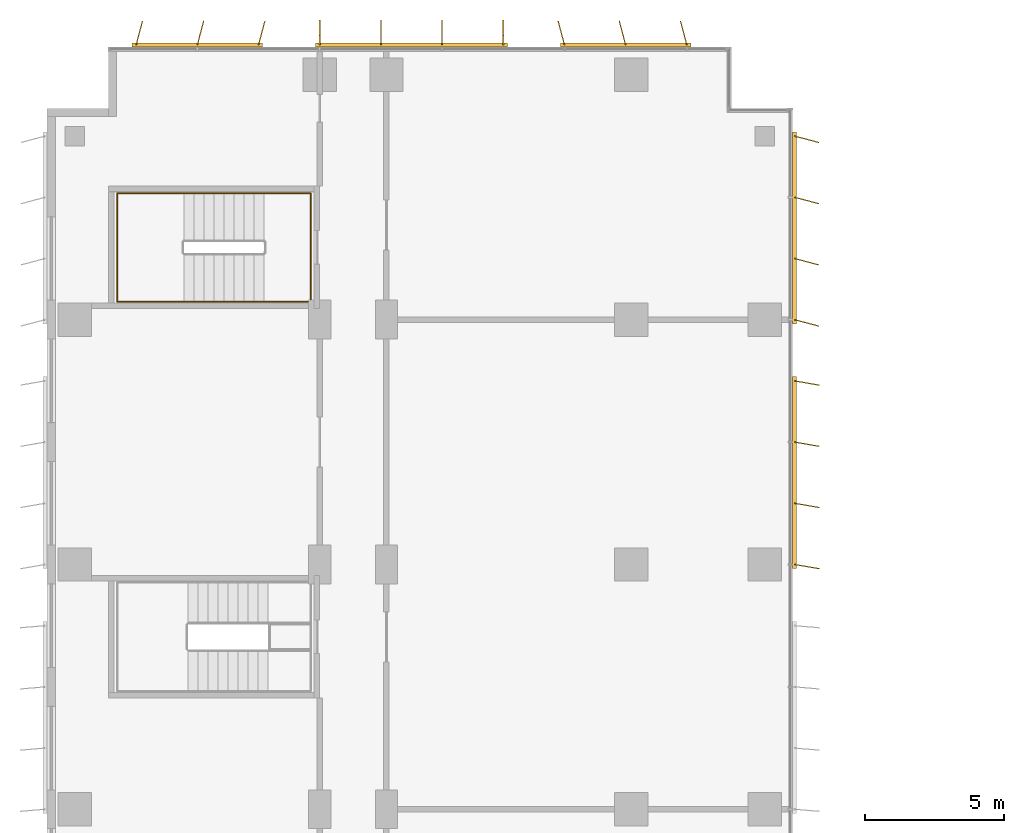
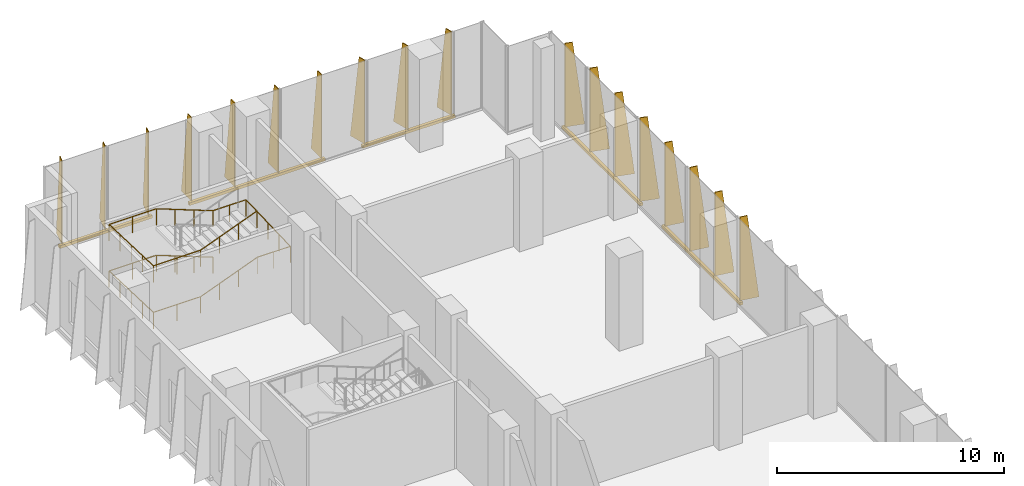
# One storey, part 21 of 21: 5 shading devices, 1 railing.
"""IFC4 building model written with IfcOpenShell, lengths in metres."""

from ifc_helpers import new_model, si_unit, direction, frame, origin, origin_2d, place, context, subcontext, project, spatial, polyline, rectangle, circle, outline, extrude, source, transform, mapped, material, layer, layer_set, type_object, element, save


model = new_model("IFC4")

# Units and contexts
model_context = context("Model", 3, precision=1e-05, world=origin(), true_north=direction((0.0, 1.0)))
body_context = subcontext(model_context, "Body", "Model", "MODEL_VIEW")
ifc_project = project(units=[si_unit("LENGTHUNIT", "METRE"), si_unit("AREAUNIT", "SQUARE_METRE"), si_unit("VOLUMEUNIT", "CUBIC_METRE"), si_unit("PLANEANGLEUNIT", "RADIAN"), si_unit("MASSUNIT", "GRAM", prefix="KILO")], contexts=[model_context])

# Site, building, storey
site_placement = place(None, origin())
site = spatial("IfcSite", under=ifc_project, at=site_placement, CompositionType="ELEMENT")
building_placement = place(site_placement, origin())
building = spatial("IfcBuilding", under=site, at=building_placement, Name="Kemantara Hotel Tower", CompositionType="ELEMENT")
storey_placement = place(building_placement, frame((0.0, 0.0, 133.300048828125)))
storey = spatial("IfcBuildingStorey", under=building, at=storey_placement, Name="L32", CompositionType="ELEMENT", Elevation=133.300048828125)

# Railing
ifc_material_1 = material(Name="Stainless steel balustrade", Category="steel")
railing_type = type_object("IfcRailingType", Name="Stair handrail 900 mm", PredefinedType="HANDRAIL", material=ifc_material_1)
railing_placement = place(storey_placement, frame((7.800048828125, 75.949951171875, 0.138916015625)))
element("IfcRailing", 1, at=railing_placement, inside=storey, type_object=railing_type, Name="L32 ST6 stair handrail 1", PredefinedType="HANDRAIL", context=body_context, shape_type="SweptSolid", body=[
    extrude(circle(Radius=0.02392578125, at=origin_2d()), frame((0.0, 0.0, 0.8759765625), z_axis=(-0.932982310422, 0.0, 0.359922225543), x_axis=(0.0, -1.0, 0.0)), (0.0, 0.0, 1.0), 3.0869140625),
    extrude(circle(Radius=0.02392578125, at=origin_2d()), frame((-2.880126953125, 0.0, 1.98681640625), z_axis=(-1.0, 0.0, 0.0), x_axis=(0.0, -1.0, 0.0)), (0.0, 0.0, 1.0), 2.39990234375),
    extrude(circle(Radius=0.02392578125, at=origin_2d()), frame((-5.280029296875, 0.0, 1.98681640625), z_axis=(0.0, -0.999366197222, 0.035597806825), x_axis=(1.0, 0.0, 0.0)), (0.0, 0.0, 1.0), 3.90234375),
    extrude(circle(Radius=0.02392578125, at=origin_2d()), frame((-5.280029296875, -3.89990234375, 2.1259765625), z_axis=(1.0, 0.0, 0.0), x_axis=(0.0, 1.0, 0.0)), (0.0, 0.0, 1.0), 2.39990234375),
    extrude(circle(Radius=0.02392578125, at=origin_2d()), frame((-2.880126953125, -3.89990234375, 2.1259765625), z_axis=(0.932982310422, 0.0, 0.359922225543), x_axis=(0.0, 1.0, 0.0)), (0.0, 0.0, 1.0), 3.0869140625),
    extrude(circle(Radius=0.02392578125, at=origin_2d()), frame((0.0, -3.89990234375, 3.23681640625), z_axis=(1.0, 0.0, 0.0), x_axis=(0.0, 1.0, 0.0)), (0.0, 0.0, 1.0), 1.679931640625),
    extrude(circle(Radius=0.02392578125, at=origin_2d()), frame((1.679931640625, -3.89990234375, 3.23681640625), z_axis=(0.0, 0.999366197222, 0.035597806825), x_axis=(-1.0, 0.0, 0.0)), (0.0, 0.0, 1.0), 3.90234375),
    extrude(circle(Radius=0.02392578125, at=origin_2d()), frame((1.679931640625, 0.0, 3.3759765625), z_axis=(-1.0, 0.0, 0.0), x_axis=(0.0, -1.0, 0.0)), (0.0, 0.0, 1.0), 1.679931640625),
    extrude(circle(Radius=0.02392578125, at=origin_2d()), frame((0.0, 0.0, 3.3759765625), z_axis=(-0.932982310422, 0.0, 0.359922225543), x_axis=(0.0, -1.0, 0.0)), (0.0, 0.0, 1.0), 3.0869140625),
    extrude(circle(Radius=0.02392578125, at=origin_2d()), frame((-2.880126953125, 0.0, 4.48681640625), z_axis=(-1.0, 0.0, 0.0), x_axis=(0.0, -1.0, 0.0)), (0.0, 0.0, 1.0), 2.39990234375),
    extrude(circle(Radius=0.02392578125, at=origin_2d()), frame((-5.280029296875, 0.0, 4.48681640625), z_axis=(0.0, -0.999366197222, 0.035597806825), x_axis=(1.0, 0.0, 0.0)), (0.0, 0.0, 1.0), 3.90234375),
    extrude(circle(Radius=0.02392578125, at=origin_2d()), frame((-5.280029296875, -3.89990234375, 4.6259765625), z_axis=(1.0, 0.0, 0.0), x_axis=(0.0, 1.0, 0.0)), (0.0, 0.0, 1.0), 2.39990234375),
    extrude(circle(Radius=0.02392578125, at=origin_2d()), frame((-2.880126953125, -3.89990234375, 4.6259765625), z_axis=(0.932982310422, 0.0, 0.359922225543), x_axis=(0.0, 1.0, 0.0)), (0.0, 0.0, 1.0), 3.0869140625),
    extrude(circle(Radius=0.02099609375, at=origin_2d()), origin(), (0.0, 0.0, 1.0), 0.851806640625),
    extrude(circle(Radius=0.02099609375, at=origin_2d()), frame((-0.9599609375, 0.0, 0.370361328125)), (0.0, 0.0, 1.0), 0.851806640625),
    extrude(circle(Radius=0.02099609375, at=origin_2d()), frame((-1.920166015625, 0.0, 0.74072265625)), (0.0, 0.0, 1.0), 0.851806640625),
    extrude(circle(Radius=0.02099609375, at=origin_2d()), frame((-2.880126953125, 0.0, 1.111083984375)), (0.0, 0.0, 1.0), 0.851806640625),
    extrude(circle(Radius=0.02099609375, at=origin_2d()), frame((-4.080078125, 0.0, 1.111083984375)), (0.0, 0.0, 1.0), 0.851806640625),
    extrude(circle(Radius=0.02099609375, at=origin_2d()), frame((-5.280029296875, 0.0, 1.111083984375)), (0.0, 0.0, 1.0), 0.851806640625),
    extrude(circle(Radius=0.02099609375, at=origin_2d()), frame((-5.280029296875, -0.97509765625, 1.145751953125)), (0.0, 0.0, 1.0), 0.851806640625),
    extrude(circle(Radius=0.02099609375, at=origin_2d()), frame((-5.280029296875, -1.949951171875, 1.1806640625)), (0.0, 0.0, 1.0), 0.851806640625),
    extrude(circle(Radius=0.02099609375, at=origin_2d()), frame((-5.280029296875, -2.9248046875, 1.21533203125)), (0.0, 0.0, 1.0), 0.851806640625),
    extrude(circle(Radius=0.02099609375, at=origin_2d()), frame((-5.280029296875, -3.89990234375, 1.25)), (0.0, 0.0, 1.0), 0.851806640625),
    extrude(circle(Radius=0.02099609375, at=origin_2d()), frame((-4.080078125, -3.89990234375, 1.25)), (0.0, 0.0, 1.0), 0.851806640625),
    extrude(circle(Radius=0.02099609375, at=origin_2d()), frame((-2.880126953125, -3.89990234375, 1.25)), (0.0, 0.0, 1.0), 0.851806640625),
    extrude(circle(Radius=0.02099609375, at=origin_2d()), frame((-1.920166015625, -3.89990234375, 1.620361328125)), (0.0, 0.0, 1.0), 0.851806640625),
    extrude(circle(Radius=0.02099609375, at=origin_2d()), frame((-0.9599609375, -3.89990234375, 1.99072265625)), (0.0, 0.0, 1.0), 0.851806640625),
    extrude(circle(Radius=0.02099609375, at=origin_2d()), frame((0.0, -3.89990234375, 2.361083984375)), (0.0, 0.0, 1.0), 0.851806640625),
    extrude(circle(Radius=0.02099609375, at=origin_2d()), frame((0.83984375, -3.89990234375, 2.361083984375)), (0.0, 0.0, 1.0), 0.851806640625),
    extrude(circle(Radius=0.02099609375, at=origin_2d()), frame((1.679931640625, -3.89990234375, 2.361083984375)), (0.0, 0.0, 1.0), 0.851806640625),
    extrude(circle(Radius=0.02099609375, at=origin_2d()), frame((1.679931640625, -2.9248046875, 2.395751953125)), (0.0, 0.0, 1.0), 0.851806640625),
    extrude(circle(Radius=0.02099609375, at=origin_2d()), frame((1.679931640625, -1.949951171875, 2.4306640625)), (0.0, 0.0, 1.0), 0.851806640625),
    extrude(circle(Radius=0.02099609375, at=origin_2d()), frame((1.679931640625, -0.97509765625, 2.46533203125)), (0.0, 0.0, 1.0), 0.851806640625),
    extrude(circle(Radius=0.02099609375, at=origin_2d()), frame((1.679931640625, 0.0, 2.5)), (0.0, 0.0, 1.0), 0.851806640625),
    extrude(circle(Radius=0.02099609375, at=origin_2d()), frame((0.83984375, 0.0, 2.5)), (0.0, 0.0, 1.0), 0.851806640625),
    extrude(circle(Radius=0.02099609375, at=origin_2d()), frame((0.0, 0.0, 2.5)), (0.0, 0.0, 1.0), 0.851806640625),
    extrude(circle(Radius=0.02099609375, at=origin_2d()), frame((-0.9599609375, 0.0, 2.870361328125)), (0.0, 0.0, 1.0), 0.851806640625),
    extrude(circle(Radius=0.02099609375, at=origin_2d()), frame((-1.920166015625, 0.0, 3.24072265625)), (0.0, 0.0, 1.0), 0.851806640625),
    extrude(circle(Radius=0.02099609375, at=origin_2d()), frame((-2.880126953125, 0.0, 3.611083984375)), (0.0, 0.0, 1.0), 0.851806640625),
    extrude(circle(Radius=0.02099609375, at=origin_2d()), frame((-4.080078125, 0.0, 3.611083984375)), (0.0, 0.0, 1.0), 0.851806640625),
    extrude(circle(Radius=0.02099609375, at=origin_2d()), frame((-5.280029296875, 0.0, 3.611083984375)), (0.0, 0.0, 1.0), 0.851806640625),
    extrude(circle(Radius=0.02099609375, at=origin_2d()), frame((-5.280029296875, -0.97509765625, 3.645751953125)), (0.0, 0.0, 1.0), 0.851806640625),
    extrude(circle(Radius=0.02099609375, at=origin_2d()), frame((-5.280029296875, -1.949951171875, 3.6806640625)), (0.0, 0.0, 1.0), 0.851806640625),
    extrude(circle(Radius=0.02099609375, at=origin_2d()), frame((-5.280029296875, -2.9248046875, 3.71533203125)), (0.0, 0.0, 1.0), 0.851806640625),
    extrude(circle(Radius=0.02099609375, at=origin_2d()), frame((-5.280029296875, -3.89990234375, 3.75)), (0.0, 0.0, 1.0), 0.851806640625),
    extrude(circle(Radius=0.02099609375, at=origin_2d()), frame((-4.080078125, -3.89990234375, 3.75)), (0.0, 0.0, 1.0), 0.851806640625),
    extrude(circle(Radius=0.02099609375, at=origin_2d()), frame((-2.880126953125, -3.89990234375, 3.75)), (0.0, 0.0, 1.0), 0.851806640625),
    extrude(circle(Radius=0.02099609375, at=origin_2d()), frame((-1.920166015625, -3.89990234375, 4.120361328125)), (0.0, 0.0, 1.0), 0.851806640625),
    extrude(circle(Radius=0.02099609375, at=origin_2d()), frame((-0.9599609375, -3.89990234375, 4.49072265625)), (0.0, 0.0, 1.0), 0.851806640625),
    extrude(circle(Radius=0.02099609375, at=origin_2d()), frame((0.0, -3.89990234375, 4.861083984375)), (0.0, 0.0, 1.0), 0.851806640625),
])

# Shading devices
ifc_material_2 = material(Name="Perforated aluminium plate 4 mm bronze anodised", Category="aluminium")
ifc_layer_1 = layer(ifc_material_2, 0.0400390625)
ifc_layer_set_1 = layer_set([ifc_layer_1], Name="Perforated aluminium plate 4 mm bronze anodised")
shading_device_type_1 = type_object("IfcShadingDeviceType", Name="SCREEN FIN CASSETTE, 3 BLADES AT -15.0 DEG, 4500 HIGH", PredefinedType="USERDEFINED", material=ifc_layer_set_1)
shared_shape_1 = source(origin(), body_context, "Body", "SweptSolid", [
    extrude(rectangle(XDim=4.699951171875, YDim=0.14990234375, at=origin_2d()), frame((2.199951171875, -0.074951171875, -0.14990234375), z_axis=(0.0, 0.0, 1.0), x_axis=(1.0, 0.0, 0.0)), (0.0, 0.0, 1.0), 0.14990234375),
    extrude(outline(polyline([(0.0, 0.0), (0.89990234375, 0.0), (0.35009765625, 4.5), (0.0, 4.5), (0.0, 0.0)])), frame((0.019287109375, -0.080078125, 0.0), z_axis=(-0.966437683387, 0.256901156343, 0.0), x_axis=(-0.256901156343, -0.966437683387, 0.0)), (0.0, 0.0, 1.0), 0.039794921875),
    extrude(outline(polyline([(0.0, 0.0), (0.89990234375, 0.0), (0.35009765625, 4.5), (0.0, 4.5), (0.0, 0.0)])), frame((2.21923828125, -0.080078125, 0.0), z_axis=(-0.966437683387, 0.256901156343, 0.0), x_axis=(-0.256901156343, -0.966437683387, 0.0)), (0.0, 0.0, 1.0), 0.039794921875),
    extrude(outline(polyline([(0.0, 0.0), (0.89990234375, 0.0), (0.35009765625, 4.5), (0.0, 4.5), (0.0, 0.0)])), frame((4.41943359375, -0.080078125, 0.0), z_axis=(-0.966837822169, 0.255391122837, 0.0), x_axis=(-0.255391122837, -0.966837822169, 0.0)), (0.0, 0.0, 1.0), 0.0400390625),
])
shading_device_1_placement = place(storey_placement, frame((7.60009765625, 81.199951171875, 0.099853515625), z_axis=(0.0, 0.0, 1.0), x_axis=(-1.0, 0.0, 0.0)))
element("IfcShadingDevice", 2, at=shading_device_1_placement, inside=storey, type_object=shading_device_type_1, Name="SCREEN FIN CASSETTE L32 T2-R01-3", ObjectType="SCREEN FIN", PredefinedType="USERDEFINED", context=body_context, shape_type="MappedRepresentation", body=[
    mapped(shared_shape_1, transform((0.0, 0.0, 0.0))),
])
ifc_layer_2 = layer(ifc_material_2, 0.0400390625)
ifc_layer_set_2 = layer_set([ifc_layer_2], Name="Perforated aluminium plate 4 mm bronze anodised")
shading_device_type_2 = type_object("IfcShadingDeviceType", Name="SCREEN FIN CASSETTE, 4 BLADES AT -10.0 DEG, 4500 HIGH", PredefinedType="USERDEFINED", material=ifc_layer_set_2)
shared_shape_2 = source(origin(), body_context, "Body", "SweptSolid", [
    extrude(rectangle(XDim=6.89990234375, YDim=0.14990234375, at=origin_2d()), frame((3.300048828125, -0.074951171875, -0.14990234375), z_axis=(0.0, 0.0, 1.0), x_axis=(1.0, 0.0, 0.0)), (0.0, 0.0, 1.0), 0.14990234375),
    extrude(outline(polyline([(0.0, 0.0), (0.89990234375, 0.0), (0.35009765625, 4.5), (0.0, 4.5), (0.0, 0.0)])), frame((0.019775390625, -0.078369140625, 0.0), z_axis=(-0.985389793052, 0.170314285219, 0.0), x_axis=(-0.170314285219, -0.985389793052, 0.0)), (0.0, 0.0, 1.0), 0.0400390625),
    extrude(outline(polyline([(0.0, 0.0), (0.89990234375, 0.0), (0.35009765625, 4.5), (0.0, 4.5), (0.0, 0.0)])), frame((2.2197265625, -0.078369140625, 0.0), z_axis=(-0.98521175482, 0.171341174751, 0.0), x_axis=(-0.171341174751, -0.98521175482, 0.0)), (0.0, 0.0, 1.0), 0.039794921875),
    extrude(outline(polyline([(0.0, 0.0), (0.89990234375, 0.0), (0.35009765625, 4.5), (0.0, 4.5), (0.0, 0.0)])), frame((4.419677734375, -0.078369140625, 0.0), z_axis=(-0.98521175482, 0.171341174751, 0.0), x_axis=(-0.171341174751, -0.98521175482, 0.0)), (0.0, 0.0, 1.0), 0.039794921875),
    extrude(outline(polyline([(0.0, 0.0), (0.89990234375, 0.0), (0.35009765625, 4.5), (0.0, 4.5), (0.0, 0.0)])), frame((6.61962890625, -0.078369140625, 0.0), z_axis=(-0.98521175482, 0.171341174751, 0.0), x_axis=(-0.171341174751, -0.98521175482, 0.0)), (0.0, 0.0, 1.0), 0.039794921875),
])
shading_device_2_placement = place(storey_placement, frame((26.800048828125, 62.60009765625, 0.099853515625), z_axis=(0.0, 0.0, 1.0), x_axis=(0.0, 1.0, 0.0)))
element("IfcShadingDevice", 3, at=shading_device_2_placement, inside=storey, type_object=shading_device_type_2, Name="SCREEN FIN CASSETTE L32 T2-R14-6", ObjectType="SCREEN FIN", PredefinedType="USERDEFINED", context=body_context, shape_type="MappedRepresentation", body=[
    mapped(shared_shape_2, transform((0.0, 0.0, 0.0))),
])
ifc_layer_3 = layer(ifc_material_2, 0.0400390625)
ifc_layer_set_3 = layer_set([ifc_layer_3], Name="Perforated aluminium plate 4 mm bronze anodised")
shading_device_type_3 = type_object("IfcShadingDeviceType", Name="SCREEN FIN CASSETTE, 4 BLADES AT +0.0 DEG, 4500 HIGH", PredefinedType="USERDEFINED", material=ifc_layer_set_3)
shared_shape_3 = source(origin(), body_context, "Body", "SweptSolid", [
    extrude(rectangle(XDim=6.89990234375, YDim=0.14990234375, at=origin_2d()), frame((3.300048828125, -0.074951171875, -0.14990234375), z_axis=(0.0, 0.0, 1.0), x_axis=(1.0, 0.0, 0.0)), (0.0, 0.0, 1.0), 0.14990234375),
    extrude(outline(polyline([(0.0, 0.0), (0.89990234375, 0.0), (0.35009765625, 4.5), (0.0, 4.5), (0.0, 0.0)])), frame((0.02001953125, -0.074951171875, 0.0), z_axis=(-1.0, 0.0, 0.0), x_axis=(0.0, -1.0, 0.0)), (0.0, 0.0, 1.0), 0.0400390625),
    extrude(outline(polyline([(0.0, 0.0), (0.89990234375, 0.0), (0.35009765625, 4.5), (0.0, 4.5), (0.0, 0.0)])), frame((2.219970703125, -0.074951171875, 0.0), z_axis=(-1.0, 0.0, 0.0), x_axis=(0.0, -1.0, 0.0)), (0.0, 0.0, 1.0), 0.0400390625),
    extrude(outline(polyline([(0.0, 0.0), (0.89990234375, 0.0), (0.35009765625, 4.5), (0.0, 4.5), (0.0, 0.0)])), frame((4.419921875, -0.074951171875, 0.0), z_axis=(-1.0, 0.0, 0.0), x_axis=(0.0, -1.0, 0.0)), (0.0, 0.0, 1.0), 0.0400390625),
    extrude(outline(polyline([(0.0, 0.0), (0.89990234375, 0.0), (0.35009765625, 4.5), (0.0, 4.5), (0.0, 0.0)])), frame((6.6201171875, -0.074951171875, 0.0), z_axis=(-1.0, 0.0, 0.0), x_axis=(0.0, -1.0, 0.0)), (0.0, 0.0, 1.0), 0.0400390625),
])
shading_device_3_placement = place(storey_placement, frame((16.39990234375, 81.199951171875, 0.099853515625), z_axis=(0.0, 0.0, 1.0), x_axis=(-1.0, 0.0, 0.0)))
element("IfcShadingDevice", 4, at=shading_device_3_placement, inside=storey, type_object=shading_device_type_3, Name="SCREEN FIN CASSETTE L32 T2-R01-2", ObjectType="SCREEN FIN", PredefinedType="USERDEFINED", context=body_context, shape_type="MappedRepresentation", body=[
    mapped(shared_shape_3, transform((0.0, 0.0, 0.0))),
])
ifc_layer_4 = layer(ifc_material_2, 0.0400390625)
ifc_layer_set_4 = layer_set([ifc_layer_4], Name="Perforated aluminium plate 4 mm bronze anodised")
shading_device_type_4 = type_object("IfcShadingDeviceType", Name="SCREEN FIN CASSETTE, 3 BLADES AT +15.0 DEG, 4500 HIGH", PredefinedType="USERDEFINED", material=ifc_layer_set_4)
shared_shape_4 = source(origin(), body_context, "Body", "SweptSolid", [
    extrude(rectangle(XDim=4.699951171875, YDim=0.14990234375, at=origin_2d()), frame((2.199951171875, -0.074951171875, -0.14990234375), z_axis=(0.0, 0.0, 1.0), x_axis=(1.0, 0.0, 0.0)), (0.0, 0.0, 1.0), 0.14990234375),
    extrude(outline(polyline([(0.0, 0.0), (0.89990234375, 0.0), (0.35009765625, 4.5), (0.0, 4.5), (0.0, 0.0)])), frame((0.019287109375, -0.06982421875, 0.0), z_axis=(-0.966437683387, -0.256901156343, 0.0), x_axis=(0.256901156343, -0.966437683387, 0.0)), (0.0, 0.0, 1.0), 0.039794921875),
    extrude(outline(polyline([(0.0, 0.0), (0.89990234375, 0.0), (0.35009765625, 4.5), (0.0, 4.5), (0.0, 0.0)])), frame((2.21923828125, -0.06982421875, 0.0), z_axis=(-0.966437683387, -0.256901156343, 0.0), x_axis=(0.256901156343, -0.966437683387, 0.0)), (0.0, 0.0, 1.0), 0.039794921875),
    extrude(outline(polyline([(0.0, 0.0), (0.89990234375, 0.0), (0.35009765625, 4.5), (0.0, 4.5), (0.0, 0.0)])), frame((4.41943359375, -0.06982421875, 0.0), z_axis=(-0.966837822169, -0.255391122837, 0.0), x_axis=(0.255391122837, -0.966837822169, 0.0)), (0.0, 0.0, 1.0), 0.0400390625),
])
shading_device_4_placement = place(storey_placement, frame((23.0, 81.199951171875, 0.099853515625), z_axis=(0.0, 0.0, 1.0), x_axis=(-1.0, 0.0, 0.0)))
element("IfcShadingDevice", 5, at=shading_device_4_placement, inside=storey, type_object=shading_device_type_4, Name="SCREEN FIN CASSETTE L32 T2-R01-1", ObjectType="SCREEN FIN", PredefinedType="USERDEFINED", context=body_context, shape_type="MappedRepresentation", body=[
    mapped(shared_shape_4, transform((0.0, 0.0, 0.0))),
])
ifc_layer_5 = layer(ifc_material_2, 0.0400390625)
ifc_layer_set_5 = layer_set([ifc_layer_5], Name="Perforated aluminium plate 4 mm bronze anodised")
shading_device_type_5 = type_object("IfcShadingDeviceType", Name="SCREEN FIN CASSETTE, 4 BLADES AT -15.0 DEG, 4500 HIGH", PredefinedType="USERDEFINED", material=ifc_layer_set_5)
shared_shape_5 = source(origin(), body_context, "Body", "SweptSolid", [
    extrude(rectangle(XDim=6.89990234375, YDim=0.14990234375, at=origin_2d()), frame((3.300048828125, -0.074951171875, -0.14990234375), z_axis=(0.0, 0.0, 1.0), x_axis=(1.0, 0.0, 0.0)), (0.0, 0.0, 1.0), 0.14990234375),
    extrude(outline(polyline([(0.0, 0.0), (0.89990234375, 0.0), (0.35009765625, 4.5), (0.0, 4.5), (0.0, 0.0)])), frame((0.019287109375, -0.080078125, 0.0), z_axis=(-0.966437683387, 0.256901156343, 0.0), x_axis=(-0.256901156343, -0.966437683387, 0.0)), (0.0, 0.0, 1.0), 0.039794921875),
    extrude(outline(polyline([(0.0, 0.0), (0.89990234375, 0.0), (0.35009765625, 4.5), (0.0, 4.5), (0.0, 0.0)])), frame((2.21923828125, -0.080078125, 0.0), z_axis=(-0.966437683387, 0.256901156343, 0.0), x_axis=(-0.256901156343, -0.966437683387, 0.0)), (0.0, 0.0, 1.0), 0.039794921875),
    extrude(outline(polyline([(0.0, 0.0), (0.89990234375, 0.0), (0.35009765625, 4.5), (0.0, 4.5), (0.0, 0.0)])), frame((4.41943359375, -0.080078125, 0.0), z_axis=(-0.966837822169, 0.255391122837, 0.0), x_axis=(-0.255391122837, -0.966837822169, 0.0)), (0.0, 0.0, 1.0), 0.0400390625),
    extrude(outline(polyline([(0.0, 0.0), (0.89990234375, 0.0), (0.35009765625, 4.5), (0.0, 4.5), (0.0, 0.0)])), frame((6.619384765625, -0.080078125, 0.0), z_axis=(-0.966837822169, 0.255391122837, 0.0), x_axis=(-0.255391122837, -0.966837822169, 0.0)), (0.0, 0.0, 1.0), 0.0400390625),
])
shading_device_5_placement = place(storey_placement, frame((26.800048828125, 71.39990234375, 0.099853515625), z_axis=(0.0, 0.0, 1.0), x_axis=(0.0, 1.0, 0.0)))
element("IfcShadingDevice", 6, at=shading_device_5_placement, inside=storey, type_object=shading_device_type_5, Name="SCREEN FIN CASSETTE L32 T2-R14-7", ObjectType="SCREEN FIN", PredefinedType="USERDEFINED", context=body_context, shape_type="MappedRepresentation", body=[
    mapped(shared_shape_5, transform((0.0, 0.0, 0.0))),
])

save(model, "model.ifc")
